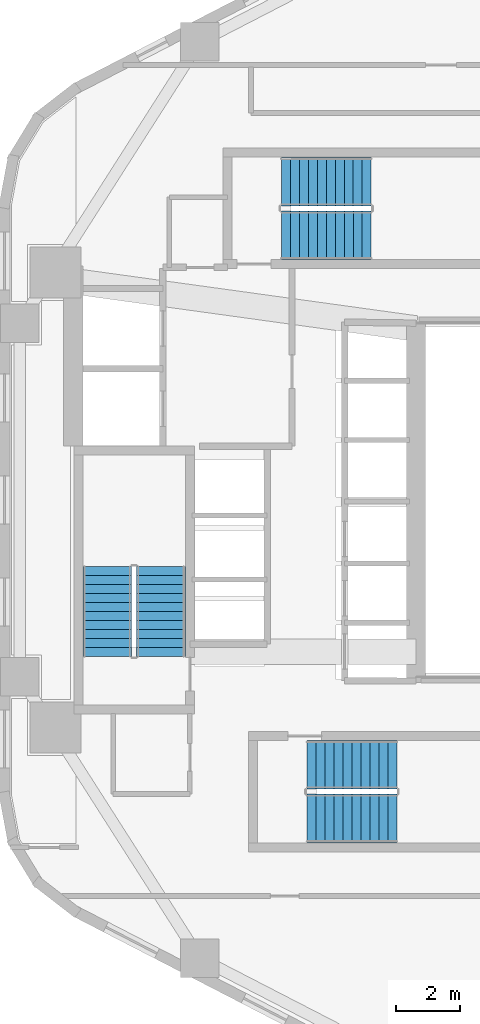
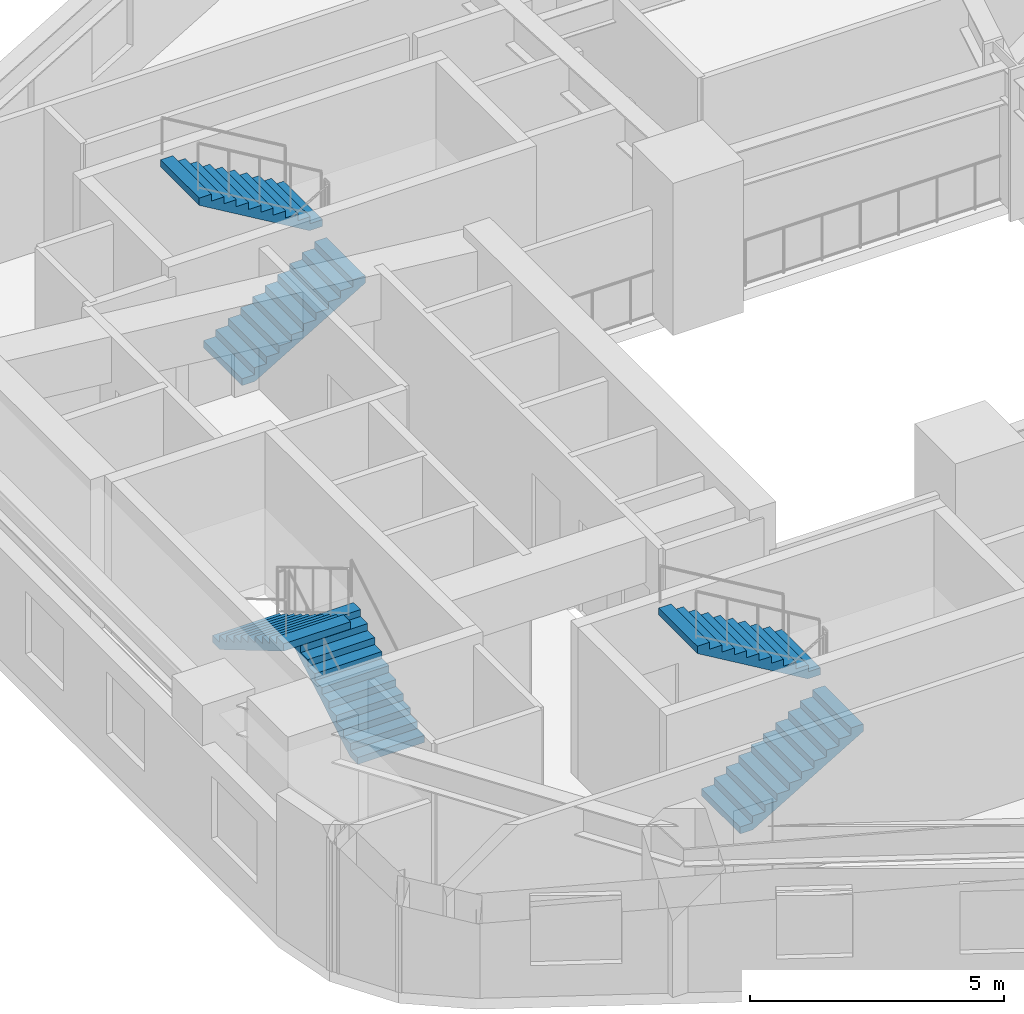
# One storey, part 5 of 6: 6 stair flights, 3 elements without a shape of their own.
"""IFC4 building model written with IfcOpenShell, lengths in metres."""

from ifc_helpers import new_model, si_unit, direction, frame, origin, place, context, subcontext, project, spatial, polyline, outline, extrude, material, type_object, element, aggregate, save


model = new_model("IFC4")

# Units and contexts
model_context = context("Model", 3, precision=1e-05, world=origin(), true_north=direction((0.0, 1.0)))
body_context = subcontext(model_context, "Body", "Model", "MODEL_VIEW")
ifc_project = project(units=[si_unit("LENGTHUNIT", "METRE"), si_unit("AREAUNIT", "SQUARE_METRE"), si_unit("VOLUMEUNIT", "CUBIC_METRE"), si_unit("PLANEANGLEUNIT", "RADIAN"), si_unit("MASSUNIT", "GRAM", prefix="KILO"), si_unit("THERMODYNAMICTEMPERATUREUNIT", "KELVIN"), si_unit("POWERUNIT", "WATT")], contexts=[model_context])

# Site, building, storey
site_placement = place(None, origin())
site = spatial("IfcSite", under=ifc_project, at=site_placement, CompositionType="ELEMENT")
building_placement = place(site_placement, origin())
building = spatial("IfcBuilding", under=site, at=building_placement, Name="Skarre Station Tower", CompositionType="ELEMENT")
storey_placement = place(building_placement, frame((0.0, 0.0, 30.64990234375)))
storey = spatial("IfcBuildingStorey", under=building, at=storey_placement, Name="L07", CompositionType="ELEMENT", Elevation=30.64990234375)

# Stair, stair flights
ifc_material = material(Name="Concrete C40/50", Category="concrete")
stair_type_1 = type_object("IfcStairType", Name="Reinforced Concrete Exit Stair ST-1", PredefinedType="HALF_TURN_STAIR", material=ifc_material)
stair_1_placement = place(storey_placement, origin())
stair_1 = element("IfcStair", 1, at=stair_1_placement, inside=storey, type_object=stair_type_1, Name="L07 Core Exit Stair ST-1", PredefinedType="HALF_TURN_STAIR")
stair_flight_type_1 = type_object("IfcStairFlightType", Name="Reinforced Concrete Stair Flight ST-1", PredefinedType="STRAIGHT", material=ifc_material)
stair_flight_1_placement = place(storey_placement, frame((19.590087890625, 19.1201171875, 0.0), z_axis=(0.0, 0.0, 1.0), x_axis=(0.0, 1.0, 0.0)))
stair_flight_1 = element("IfcStairFlight", 2, at=stair_flight_1_placement, type_object=stair_flight_type_1, Name="ST-1 flight 1", NumberOfRisers=11, NumberOfTreads=10, PredefinedType="STRAIGHT", RiserHeight=0.165909091, TreadLength=0.28, context=body_context, shape_type="SweptSolid", body=[
    extrude(outline(polyline([(0.0, 0.0), (0.0, 0.166015625), (0.280029296875, 0.166015625), (0.280029296875, 0.331787109375), (0.56005859375, 0.331787109375), (0.56005859375, 0.497802734375), (0.840087890625, 0.497802734375), (0.840087890625, 0.66357421875), (1.1201171875, 0.66357421875), (1.1201171875, 0.82958984375), (1.39990234375, 0.82958984375), (1.39990234375, 0.995361328125), (1.679931640625, 0.995361328125), (1.679931640625, 1.161376953125), (1.9599609375, 1.161376953125), (1.9599609375, 1.327392578125), (2.239990234375, 1.327392578125), (2.239990234375, 1.4931640625), (2.52001953125, 1.4931640625), (2.52001953125, 1.6591796875), (2.800048828125, 1.6591796875), (2.800048828125, 1.824951171875), (2.800048828125, 1.48486328125), (0.2939453125, 0.0), (0.0, 0.0)])), frame((0.0, 0.760009765625, 0.0), z_axis=(0.0, -1.0, 0.0), x_axis=(1.0, 0.0, 0.0)), (0.0, 0.0, 1.0), 1.52001953125),
])
stair_flight_2_placement = place(storey_placement, frame((17.909912109375, 21.919921875, 1.8251953125), z_axis=(0.0, 0.0, 1.0), x_axis=(0.0, -1.0, 0.0)))
stair_flight_2 = element("IfcStairFlight", 3, at=stair_flight_2_placement, type_object=stair_flight_type_1, Name="ST-1 flight 2", NumberOfRisers=11, NumberOfTreads=10, PredefinedType="STRAIGHT", RiserHeight=0.165909091, TreadLength=0.28, context=body_context, shape_type="SweptSolid", body=[
    extrude(outline(polyline([(0.0, 0.0), (0.0, 0.166015625), (0.280029296875, 0.166015625), (0.280029296875, 0.331787109375), (0.56005859375, 0.331787109375), (0.56005859375, 0.497802734375), (0.840087890625, 0.497802734375), (0.840087890625, 0.66357421875), (1.1201171875, 0.66357421875), (1.1201171875, 0.82958984375), (1.39990234375, 0.82958984375), (1.39990234375, 0.995361328125), (1.679931640625, 0.995361328125), (1.679931640625, 1.161376953125), (1.9599609375, 1.161376953125), (1.9599609375, 1.327392578125), (2.239990234375, 1.327392578125), (2.239990234375, 1.4931640625), (2.52001953125, 1.4931640625), (2.52001953125, 1.6591796875), (2.800048828125, 1.6591796875), (2.800048828125, 1.824951171875), (2.800048828125, 1.48486328125), (0.2939453125, 0.0), (0.0, 0.0)])), frame((0.0, 0.760009765625, 0.0), z_axis=(0.0, -1.0, 0.0), x_axis=(1.0, 0.0, 0.0)), (0.0, 0.0, 1.0), 1.52001953125),
])
aggregate(stair_1, [stair_flight_1, stair_flight_2])

stair_type_2 = type_object("IfcStairType", Name="Reinforced Concrete Exit Stair ST-2", PredefinedType="HALF_TURN_STAIR", material=ifc_material)
stair_2_placement = place(storey_placement, origin())
stair_2 = element("IfcStair", 4, at=stair_2_placement, inside=storey, type_object=stair_type_2, Name="L07 Core Exit Stair ST-2", PredefinedType="HALF_TURN_STAIR")
stair_flight_type_2 = type_object("IfcStairFlightType", Name="Reinforced Concrete Stair Flight ST-2", PredefinedType="STRAIGHT", material=ifc_material)
stair_flight_3_placement = place(storey_placement, frame((24.14990234375, 14.06005859375, 0.0), z_axis=(0.0, 0.0, 1.0), x_axis=(1.0, 0.0, 0.0)))
stair_flight_3 = element("IfcStairFlight", 5, at=stair_flight_3_placement, type_object=stair_flight_type_2, Name="ST-2 flight 1", NumberOfRisers=11, NumberOfTreads=10, PredefinedType="STRAIGHT", RiserHeight=0.165909091, TreadLength=0.28, context=body_context, shape_type="SweptSolid", body=[
    extrude(outline(polyline([(0.0, 0.0), (0.0, 0.166015625), (0.280029296875, 0.166015625), (0.280029296875, 0.331787109375), (0.56005859375, 0.331787109375), (0.56005859375, 0.497802734375), (0.840087890625, 0.497802734375), (0.840087890625, 0.66357421875), (1.1201171875, 0.66357421875), (1.1201171875, 0.82958984375), (1.39990234375, 0.82958984375), (1.39990234375, 0.995361328125), (1.679931640625, 0.995361328125), (1.679931640625, 1.161376953125), (1.9599609375, 1.161376953125), (1.9599609375, 1.327392578125), (2.239990234375, 1.327392578125), (2.239990234375, 1.4931640625), (2.52001953125, 1.4931640625), (2.52001953125, 1.6591796875), (2.800048828125, 1.6591796875), (2.800048828125, 1.824951171875), (2.800048828125, 1.48486328125), (0.2939453125, 0.0), (0.0, 0.0)])), frame((0.0, 0.760009765625, 0.0), z_axis=(0.0, -1.0, 0.0), x_axis=(1.0, 0.0, 0.0)), (0.0, 0.0, 1.0), 1.52001953125),
])
stair_flight_4_placement = place(storey_placement, frame((26.949951171875, 15.739990234375, 1.8251953125), z_axis=(0.0, 0.0, 1.0), x_axis=(-1.0, 0.0, 0.0)))
stair_flight_4 = element("IfcStairFlight", 6, at=stair_flight_4_placement, type_object=stair_flight_type_2, Name="ST-2 flight 2", NumberOfRisers=11, NumberOfTreads=10, PredefinedType="STRAIGHT", RiserHeight=0.165909091, TreadLength=0.28, context=body_context, shape_type="SweptSolid", body=[
    extrude(outline(polyline([(0.0, 0.0), (0.0, 0.166015625), (0.280029296875, 0.166015625), (0.280029296875, 0.331787109375), (0.56005859375, 0.331787109375), (0.56005859375, 0.497802734375), (0.840087890625, 0.497802734375), (0.840087890625, 0.66357421875), (1.1201171875, 0.66357421875), (1.1201171875, 0.82958984375), (1.39990234375, 0.82958984375), (1.39990234375, 0.995361328125), (1.679931640625, 0.995361328125), (1.679931640625, 1.161376953125), (1.9599609375, 1.161376953125), (1.9599609375, 1.327392578125), (2.239990234375, 1.327392578125), (2.239990234375, 1.4931640625), (2.52001953125, 1.4931640625), (2.52001953125, 1.6591796875), (2.800048828125, 1.6591796875), (2.800048828125, 1.824951171875), (2.800048828125, 1.48486328125), (0.2939453125, 0.0), (0.0, 0.0)])), frame((0.0, 0.760009765625, 0.0), z_axis=(0.0, -1.0, 0.0), x_axis=(1.0, 0.0, 0.0)), (0.0, 0.0, 1.0), 1.52001953125),
])
aggregate(stair_2, [stair_flight_3, stair_flight_4])

stair_type_3 = type_object("IfcStairType", Name="Reinforced Concrete Exit Stair ST-3", PredefinedType="HALF_TURN_STAIR", material=ifc_material)
stair_3_placement = place(storey_placement, origin())
stair_3 = element("IfcStair", 7, at=stair_3_placement, inside=storey, type_object=stair_type_3, Name="L07 Core Exit Stair ST-3", PredefinedType="HALF_TURN_STAIR")
stair_flight_type_3 = type_object("IfcStairFlightType", Name="Reinforced Concrete Stair Flight ST-3", PredefinedType="STRAIGHT", material=ifc_material)
stair_flight_5_placement = place(storey_placement, frame((23.35009765625, 32.260009765625, 0.0), z_axis=(0.0, 0.0, 1.0), x_axis=(1.0, 0.0, 0.0)))
stair_flight_5 = element("IfcStairFlight", 8, at=stair_flight_5_placement, type_object=stair_flight_type_3, Name="ST-3 flight 1", NumberOfRisers=11, NumberOfTreads=10, PredefinedType="STRAIGHT", RiserHeight=0.165909091, TreadLength=0.28, context=body_context, shape_type="SweptSolid", body=[
    extrude(outline(polyline([(0.0, 0.0), (0.0, 0.166015625), (0.280029296875, 0.166015625), (0.280029296875, 0.331787109375), (0.56005859375, 0.331787109375), (0.56005859375, 0.497802734375), (0.840087890625, 0.497802734375), (0.840087890625, 0.66357421875), (1.1201171875, 0.66357421875), (1.1201171875, 0.82958984375), (1.39990234375, 0.82958984375), (1.39990234375, 0.995361328125), (1.679931640625, 0.995361328125), (1.679931640625, 1.161376953125), (1.9599609375, 1.161376953125), (1.9599609375, 1.327392578125), (2.239990234375, 1.327392578125), (2.239990234375, 1.4931640625), (2.52001953125, 1.4931640625), (2.52001953125, 1.6591796875), (2.800048828125, 1.6591796875), (2.800048828125, 1.824951171875), (2.800048828125, 1.48486328125), (0.2939453125, 0.0), (0.0, 0.0)])), frame((0.0, 0.760009765625, 0.0), z_axis=(0.0, -1.0, 0.0), x_axis=(1.0, 0.0, 0.0)), (0.0, 0.0, 1.0), 1.52001953125),
])
stair_flight_6_placement = place(storey_placement, frame((26.14990234375, 33.93994140625, 1.8251953125), z_axis=(0.0, 0.0, 1.0), x_axis=(-1.0, 0.0, 0.0)))
stair_flight_6 = element("IfcStairFlight", 9, at=stair_flight_6_placement, type_object=stair_flight_type_3, Name="ST-3 flight 2", NumberOfRisers=11, NumberOfTreads=10, PredefinedType="STRAIGHT", RiserHeight=0.165909091, TreadLength=0.28, context=body_context, shape_type="SweptSolid", body=[
    extrude(outline(polyline([(0.0, 0.0), (0.0, 0.166015625), (0.280029296875, 0.166015625), (0.280029296875, 0.331787109375), (0.56005859375, 0.331787109375), (0.56005859375, 0.497802734375), (0.840087890625, 0.497802734375), (0.840087890625, 0.66357421875), (1.1201171875, 0.66357421875), (1.1201171875, 0.82958984375), (1.39990234375, 0.82958984375), (1.39990234375, 0.995361328125), (1.679931640625, 0.995361328125), (1.679931640625, 1.161376953125), (1.9599609375, 1.161376953125), (1.9599609375, 1.327392578125), (2.239990234375, 1.327392578125), (2.239990234375, 1.4931640625), (2.52001953125, 1.4931640625), (2.52001953125, 1.6591796875), (2.800048828125, 1.6591796875), (2.800048828125, 1.824951171875), (2.800048828125, 1.48486328125), (0.2939453125, 0.0), (0.0, 0.0)])), frame((0.0, 0.760009765625, 0.0), z_axis=(0.0, -1.0, 0.0), x_axis=(1.0, 0.0, 0.0)), (0.0, 0.0, 1.0), 1.52001953125),
])
aggregate(stair_3, [stair_flight_5, stair_flight_6])

save(model, "model.ifc")
